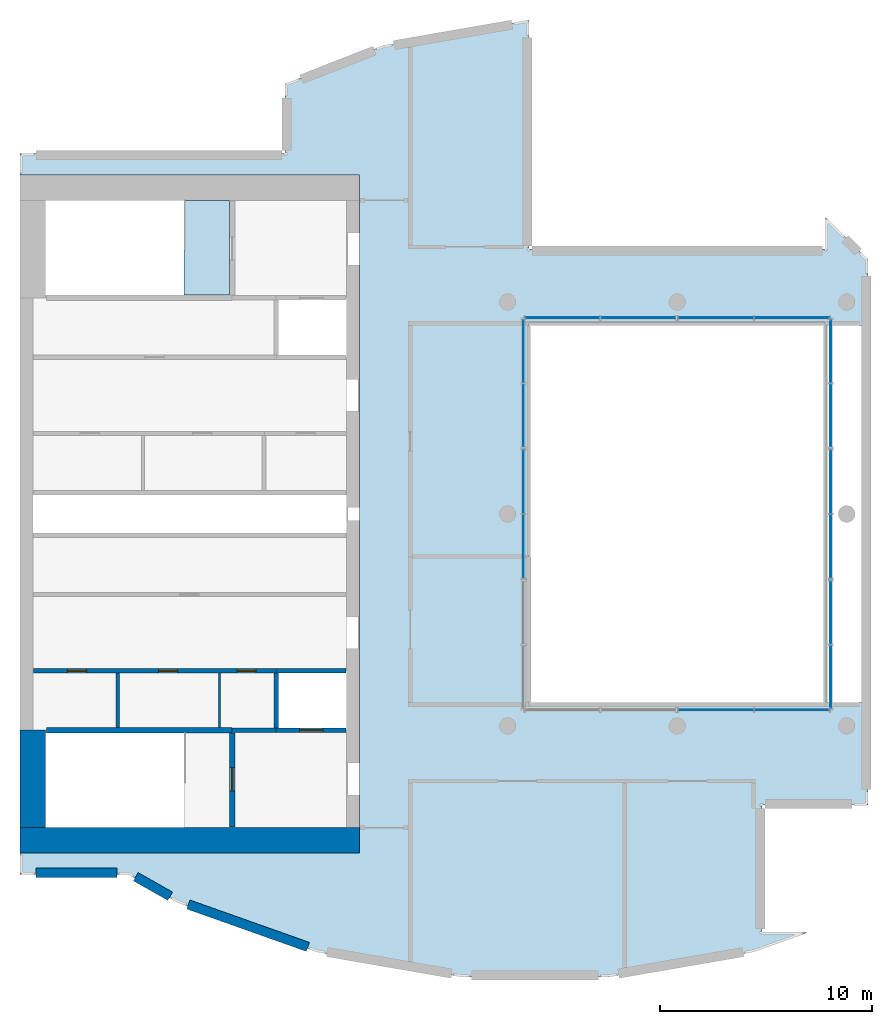
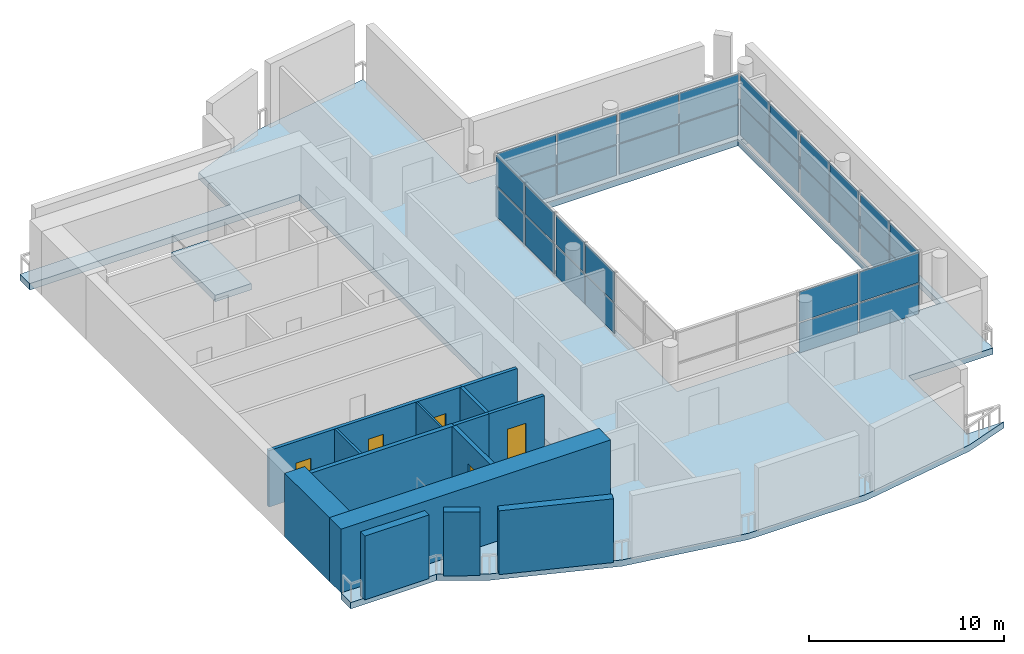
# One storey, part 3 of 6: 32 plates, 14 walls, 5 doors, 2 slabs, 5 openings, 8 elements without a shape of their own.
"""IFC4 building model written with IfcOpenShell, lengths in metres."""

from ifc_helpers import new_model, si_unit, direction, frame, frame_2d, origin, origin_2d, place, context, subcontext, project, spatial, polyline, rectangle, outline, extrude, material, layer, layer_set, type_object, element, fill, aggregate, save


model = new_model("IFC4")

# Units and contexts
model_context = context("Model", 3, precision=1e-05, world=origin(), true_north=direction((0.0, 1.0)))
body_context = subcontext(model_context, "Body", "Model", "MODEL_VIEW")
ifc_project = project(units=[si_unit("LENGTHUNIT", "METRE"), si_unit("AREAUNIT", "SQUARE_METRE"), si_unit("VOLUMEUNIT", "CUBIC_METRE"), si_unit("PLANEANGLEUNIT", "RADIAN"), si_unit("MASSUNIT", "GRAM", prefix="KILO")], contexts=[model_context])

# Site, building, storey
site_placement = place(None, origin())
site = spatial("IfcSite", under=ifc_project, at=site_placement, CompositionType="ELEMENT")
building_placement = place(site_placement, origin())
building = spatial("IfcBuilding", under=site, at=building_placement, Name="Cypress Arch Tower", CompositionType="ELEMENT")
storey_placement = place(building_placement, frame((0.0, 0.0, 355.0)))
storey = spatial("IfcBuildingStorey", under=building, at=storey_placement, Name="L81", CompositionType="ELEMENT", Elevation=355.0)

# Slabs
ifc_material_1 = material(Name="Concrete C40/50", Category="concrete")
ifc_layer_1 = layer(ifc_material_1, 0.402099609375)
ifc_layer_set_1 = layer_set([ifc_layer_1], Name="Core floor CF402")
slab_type_1 = type_object("IfcSlabType", Name="Core floor CF402", PredefinedType="FLOOR", material=ifc_layer_set_1)
slab_1_placement = place(storey_placement, frame((0.0, 0.0, -0.402099609375)))
element("IfcSlab", 1, at=slab_1_placement, inside=storey, type_object=slab_type_1, Name="Core floor", PredefinedType="FLOOR", context=body_context, shape_type="SweptSolid", body=[
    extrude(outline(polyline([(-20.125, 14.800048828125), (-22.27490234375, 14.800048828125), (-22.27490234375, 10.324951171875), (-20.125, 10.324951171875), (-20.125, 14.800048828125)])), origin(), (0.0, 0.0, 1.0), 0.402099609375),
])
ifc_material_2 = material(Name="Concrete C40/50", Category="concrete")
ifc_layer_2 = layer(ifc_material_2, 0.39990234375)
ifc_layer_set_2 = layer_set([ifc_layer_2], Name="Crown flat slab 400 Concrete C40/50")
slab_type_2 = type_object("IfcSlabType", Name="Crown flat slab 400 Concrete C40/50", PredefinedType="FLOOR", material=ifc_layer_set_2)
slab_2_placement = place(storey_placement, frame((0.0, 0.0, -0.39990234375)))
element("IfcSlab", 2, at=slab_2_placement, inside=storey, type_object=slab_type_2, Name="Floor slab L81", PredefinedType="FLOOR", context=body_context, shape_type="SweptSolid", body=[
    extrude(outline(polyline([(-17.5, 17.0), (-17.5, 20.2900390625), (-12.85009765625, 22.110107421875), (-6.0, 23.300048828125), (-6.0, 12.5), (8.0, 12.5), (8.0, 14.0), (10.0, 12.0), (10.0, -13.739990234375), (5.0, -13.739990234375), (5.0, -19.739990234375), (7.18994140625, -19.739990234375), (4.60009765625, -20.659912109375), (-2.22998046875, -21.840087890625), (-9.169921875, -21.840087890625), (-16.0, -20.659912109375), (-22.5400390625, -18.340087890625), (-24.909912109375, -17.0), (-30.0, -17.0), (-30.0, -16.0), (-14.0, -16.0), (-14.0, 16.0), (-30.0, 16.0), (-30.0, 17.0), (-17.5, 17.0)]), holes=[polyline([(8.10009765625, -8.89990234375), (9.699951171875, -8.89990234375), (9.699951171875, 8.89990234375), (8.10009765625, 8.89990234375), (8.10009765625, -8.89990234375)]), polyline([(8.0, -9.0), (8.0, 9.0), (-6.0, 9.0), (-6.0, -9.0), (8.0, -9.0)])]), origin(), (0.0, 0.0, 1.0), 0.39990234375),
])

# Curtain wall, plates
ifc_material_3 = material(Name="Anodised aluminium, bronze finish, clear laminated double glazing", Category="aluminium")
curtain_wall_type = type_object("IfcCurtainWallType", Name="Curtain wall CW4 atrium enclosure", PredefinedType="NOTDEFINED", material=ifc_material_3)
curtain_wall_1_placement = place(storey_placement, origin())
curtain_wall_1 = element("IfcCurtainWall", 3, at=curtain_wall_1_placement, inside=storey, type_object=curtain_wall_type, Name="Curtain wall L81 atrium 1.1", PredefinedType="NOTDEFINED")
ifc_material_4 = material(Name="Clear laminated double glazing", Category="glass")
ifc_layer_3 = layer(ifc_material_4, 0.0439453125)
ifc_layer_set_3 = layer_set([ifc_layer_3], Name="Glass panel CW4 44")
plate_type = type_object("IfcPlateType", Name="Glass panel CW4 44", PredefinedType="CURTAIN_PANEL", material=ifc_layer_set_3)
plate_1_placement = place(storey_placement, frame((6.416259765625, -9.25, 0.0849609375), z_axis=(0.0, 0.0, 1.0), x_axis=(-1.0, 0.0, 0.0)))
plate_1 = element("IfcPlate", 4, at=plate_1_placement, type_object=plate_type, Name="CW4 panel 1.1", PredefinedType="CURTAIN_PANEL", context=body_context, shape_type="SweptSolid", body=[
    extrude(rectangle(XDim=3.49755859375, YDim=0.0439453125, at=origin_2d()), origin(), (0.0, 0.0, 1.0), 1.87255859375),
])
plate_2_placement = place(storey_placement, frame((6.416259765625, -9.25, 2.04248046875), z_axis=(0.0, 0.0, 1.0), x_axis=(-1.0, 0.0, 0.0)))
plate_2 = element("IfcPlate", 5, at=plate_2_placement, type_object=plate_type, Name="CW4 panel 1.2", PredefinedType="CURTAIN_PANEL", context=body_context, shape_type="SweptSolid", body=[
    extrude(rectangle(XDim=3.49755859375, YDim=0.0439453125, at=origin_2d()), origin(), (0.0, 0.0, 1.0), 1.87255859375),
])
plate_3_placement = place(storey_placement, frame((2.833740234375, -9.25, 0.0849609375), z_axis=(0.0, 0.0, 1.0), x_axis=(-1.0, 0.0, 0.0)))
plate_3 = element("IfcPlate", 6, at=plate_3_placement, type_object=plate_type, Name="CW4 panel 2.1", PredefinedType="CURTAIN_PANEL", context=body_context, shape_type="SweptSolid", body=[
    extrude(rectangle(XDim=3.49755859375, YDim=0.0439453125, at=origin_2d()), origin(), (0.0, 0.0, 1.0), 1.87255859375),
])
plate_4_placement = place(storey_placement, frame((2.833740234375, -9.25, 2.04248046875), z_axis=(0.0, 0.0, 1.0), x_axis=(-1.0, 0.0, 0.0)))
plate_4 = element("IfcPlate", 7, at=plate_4_placement, type_object=plate_type, Name="CW4 panel 2.2", PredefinedType="CURTAIN_PANEL", context=body_context, shape_type="SweptSolid", body=[
    extrude(rectangle(XDim=3.49755859375, YDim=0.0439453125, at=origin_2d()), origin(), (0.0, 0.0, 1.0), 1.87255859375),
])
aggregate(curtain_wall_1, [plate_1, plate_2, plate_3, plate_4])

curtain_wall_2_placement = place(storey_placement, origin())
curtain_wall_2 = element("IfcCurtainWall", 8, at=curtain_wall_2_placement, inside=storey, type_object=curtain_wall_type, Name="Curtain wall L81 atrium 2.2", PredefinedType="NOTDEFINED")
plate_5_placement = place(storey_placement, frame((-6.25, -1.5205078125, 0.0849609375), z_axis=(0.0, 0.0, 1.0), x_axis=(0.0, 1.0, 0.0)))
plate_5 = element("IfcPlate", 9, at=plate_5_placement, type_object=plate_type, Name="CW4 panel 1.1", PredefinedType="CURTAIN_PANEL", context=body_context, shape_type="SweptSolid", body=[
    extrude(rectangle(XDim=2.955810546875, YDim=0.0439453125, at=origin_2d()), origin(), (0.0, 0.0, 1.0), 1.87255859375),
])
plate_6_placement = place(storey_placement, frame((-6.25, -1.5205078125, 2.04248046875), z_axis=(0.0, 0.0, 1.0), x_axis=(0.0, 1.0, 0.0)))
plate_6 = element("IfcPlate", 10, at=plate_6_placement, type_object=plate_type, Name="CW4 panel 1.2", PredefinedType="CURTAIN_PANEL", context=body_context, shape_type="SweptSolid", body=[
    extrude(rectangle(XDim=2.955810546875, YDim=0.0439453125, at=origin_2d()), origin(), (0.0, 0.0, 1.0), 1.87255859375),
])
plate_7_placement = place(storey_placement, frame((-6.25, 1.5205078125, 0.0849609375), z_axis=(0.0, 0.0, 1.0), x_axis=(0.0, 1.0, 0.0)))
plate_7 = element("IfcPlate", 11, at=plate_7_placement, type_object=plate_type, Name="CW4 panel 2.1", PredefinedType="CURTAIN_PANEL", context=body_context, shape_type="SweptSolid", body=[
    extrude(rectangle(XDim=2.955810546875, YDim=0.0439453125, at=origin_2d()), origin(), (0.0, 0.0, 1.0), 1.87255859375),
])
plate_8_placement = place(storey_placement, frame((-6.25, 1.5205078125, 2.04248046875), z_axis=(0.0, 0.0, 1.0), x_axis=(0.0, 1.0, 0.0)))
plate_8 = element("IfcPlate", 12, at=plate_8_placement, type_object=plate_type, Name="CW4 panel 2.2", PredefinedType="CURTAIN_PANEL", context=body_context, shape_type="SweptSolid", body=[
    extrude(rectangle(XDim=2.955810546875, YDim=0.0439453125, at=origin_2d()), origin(), (0.0, 0.0, 1.0), 1.87255859375),
])
aggregate(curtain_wall_2, [plate_5, plate_6, plate_7, plate_8])

curtain_wall_3_placement = place(storey_placement, origin())
curtain_wall_3 = element("IfcCurtainWall", 13, at=curtain_wall_3_placement, inside=storey, type_object=curtain_wall_type, Name="Curtain wall L81 atrium 2.3", PredefinedType="NOTDEFINED")
plate_9_placement = place(storey_placement, frame((-6.25, 4.646240234375, 0.0849609375), z_axis=(0.0, 0.0, 1.0), x_axis=(0.0, 1.0, 0.0)))
plate_9 = element("IfcPlate", 14, at=plate_9_placement, type_object=plate_type, Name="CW4 panel 1.1", PredefinedType="CURTAIN_PANEL", context=body_context, shape_type="SweptSolid", body=[
    extrude(rectangle(XDim=2.955810546875, YDim=0.0439453125, at=origin_2d()), origin(), (0.0, 0.0, 1.0), 1.87255859375),
])
plate_10_placement = place(storey_placement, frame((-6.25, 4.646240234375, 2.04248046875), z_axis=(0.0, 0.0, 1.0), x_axis=(0.0, 1.0, 0.0)))
plate_10 = element("IfcPlate", 15, at=plate_10_placement, type_object=plate_type, Name="CW4 panel 1.2", PredefinedType="CURTAIN_PANEL", context=body_context, shape_type="SweptSolid", body=[
    extrude(rectangle(XDim=2.955810546875, YDim=0.0439453125, at=origin_2d()), origin(), (0.0, 0.0, 1.0), 1.87255859375),
])
plate_11_placement = place(storey_placement, frame((-6.25, 7.68701171875, 0.0849609375), z_axis=(0.0, 0.0, 1.0), x_axis=(0.0, 1.0, 0.0)))
plate_11 = element("IfcPlate", 16, at=plate_11_placement, type_object=plate_type, Name="CW4 panel 2.1", PredefinedType="CURTAIN_PANEL", context=body_context, shape_type="SweptSolid", body=[
    extrude(rectangle(XDim=2.955810546875, YDim=0.0439453125, at=origin_2d()), origin(), (0.0, 0.0, 1.0), 1.87255859375),
])
plate_12_placement = place(storey_placement, frame((-6.25, 7.68701171875, 2.04248046875), z_axis=(0.0, 0.0, 1.0), x_axis=(0.0, 1.0, 0.0)))
plate_12 = element("IfcPlate", 17, at=plate_12_placement, type_object=plate_type, Name="CW4 panel 2.2", PredefinedType="CURTAIN_PANEL", context=body_context, shape_type="SweptSolid", body=[
    extrude(rectangle(XDim=2.955810546875, YDim=0.0439453125, at=origin_2d()), origin(), (0.0, 0.0, 1.0), 1.87255859375),
])
aggregate(curtain_wall_3, [plate_9, plate_10, plate_11, plate_12])

curtain_wall_4_placement = place(storey_placement, origin())
curtain_wall_4 = element("IfcCurtainWall", 18, at=curtain_wall_4_placement, inside=storey, type_object=curtain_wall_type, Name="Curtain wall L81 atrium 3.1", PredefinedType="NOTDEFINED")
plate_13_placement = place(storey_placement, frame((-4.416259765625, 9.25, 0.0849609375), z_axis=(0.0, 0.0, 1.0), x_axis=(1.0, 0.0, 0.0)))
plate_13 = element("IfcPlate", 19, at=plate_13_placement, type_object=plate_type, Name="CW4 panel 1.1", PredefinedType="CURTAIN_PANEL", context=body_context, shape_type="SweptSolid", body=[
    extrude(rectangle(XDim=3.49755859375, YDim=0.0439453125, at=origin_2d()), origin(), (0.0, 0.0, 1.0), 1.87255859375),
])
plate_14_placement = place(storey_placement, frame((-4.416259765625, 9.25, 2.04248046875), z_axis=(0.0, 0.0, 1.0), x_axis=(1.0, 0.0, 0.0)))
plate_14 = element("IfcPlate", 20, at=plate_14_placement, type_object=plate_type, Name="CW4 panel 1.2", PredefinedType="CURTAIN_PANEL", context=body_context, shape_type="SweptSolid", body=[
    extrude(rectangle(XDim=3.49755859375, YDim=0.0439453125, at=origin_2d()), origin(), (0.0, 0.0, 1.0), 1.87255859375),
])
plate_15_placement = place(storey_placement, frame((-0.833740234375, 9.25, 0.0849609375), z_axis=(0.0, 0.0, 1.0), x_axis=(1.0, 0.0, 0.0)))
plate_15 = element("IfcPlate", 21, at=plate_15_placement, type_object=plate_type, Name="CW4 panel 2.1", PredefinedType="CURTAIN_PANEL", context=body_context, shape_type="SweptSolid", body=[
    extrude(rectangle(XDim=3.49755859375, YDim=0.0439453125, at=origin_2d()), origin(), (0.0, 0.0, 1.0), 1.87255859375),
])
plate_16_placement = place(storey_placement, frame((-0.833740234375, 9.25, 2.04248046875), z_axis=(0.0, 0.0, 1.0), x_axis=(1.0, 0.0, 0.0)))
plate_16 = element("IfcPlate", 22, at=plate_16_placement, type_object=plate_type, Name="CW4 panel 2.2", PredefinedType="CURTAIN_PANEL", context=body_context, shape_type="SweptSolid", body=[
    extrude(rectangle(XDim=3.49755859375, YDim=0.0439453125, at=origin_2d()), origin(), (0.0, 0.0, 1.0), 1.87255859375),
])
aggregate(curtain_wall_4, [plate_13, plate_14, plate_15, plate_16])

curtain_wall_5_placement = place(storey_placement, origin())
curtain_wall_5 = element("IfcCurtainWall", 23, at=curtain_wall_5_placement, inside=storey, type_object=curtain_wall_type, Name="Curtain wall L81 atrium 3.2", PredefinedType="NOTDEFINED")
plate_17_placement = place(storey_placement, frame((2.833740234375, 9.25, 0.0849609375), z_axis=(0.0, 0.0, 1.0), x_axis=(1.0, 0.0, 0.0)))
plate_17 = element("IfcPlate", 24, at=plate_17_placement, type_object=plate_type, Name="CW4 panel 1.1", PredefinedType="CURTAIN_PANEL", context=body_context, shape_type="SweptSolid", body=[
    extrude(rectangle(XDim=3.49755859375, YDim=0.0439453125, at=origin_2d()), origin(), (0.0, 0.0, 1.0), 1.87255859375),
])
plate_18_placement = place(storey_placement, frame((2.833740234375, 9.25, 2.04248046875), z_axis=(0.0, 0.0, 1.0), x_axis=(1.0, 0.0, 0.0)))
plate_18 = element("IfcPlate", 25, at=plate_18_placement, type_object=plate_type, Name="CW4 panel 1.2", PredefinedType="CURTAIN_PANEL", context=body_context, shape_type="SweptSolid", body=[
    extrude(rectangle(XDim=3.49755859375, YDim=0.0439453125, at=origin_2d()), origin(), (0.0, 0.0, 1.0), 1.87255859375),
])
plate_19_placement = place(storey_placement, frame((6.416259765625, 9.25, 0.0849609375), z_axis=(0.0, 0.0, 1.0), x_axis=(1.0, 0.0, 0.0)))
plate_19 = element("IfcPlate", 26, at=plate_19_placement, type_object=plate_type, Name="CW4 panel 2.1", PredefinedType="CURTAIN_PANEL", context=body_context, shape_type="SweptSolid", body=[
    extrude(rectangle(XDim=3.49755859375, YDim=0.0439453125, at=origin_2d()), origin(), (0.0, 0.0, 1.0), 1.87255859375),
])
plate_20_placement = place(storey_placement, frame((6.416259765625, 9.25, 2.04248046875), z_axis=(0.0, 0.0, 1.0), x_axis=(1.0, 0.0, 0.0)))
plate_20 = element("IfcPlate", 27, at=plate_20_placement, type_object=plate_type, Name="CW4 panel 2.2", PredefinedType="CURTAIN_PANEL", context=body_context, shape_type="SweptSolid", body=[
    extrude(rectangle(XDim=3.49755859375, YDim=0.0439453125, at=origin_2d()), origin(), (0.0, 0.0, 1.0), 1.87255859375),
])
aggregate(curtain_wall_5, [plate_17, plate_18, plate_19, plate_20])

curtain_wall_6_placement = place(storey_placement, origin())
curtain_wall_6 = element("IfcCurtainWall", 28, at=curtain_wall_6_placement, inside=storey, type_object=curtain_wall_type, Name="Curtain wall L81 atrium 4.1", PredefinedType="NOTDEFINED")
plate_21_placement = place(storey_placement, frame((8.25, 7.68701171875, 0.0849609375), z_axis=(0.0, 0.0, 1.0), x_axis=(0.0, -1.0, 0.0)))
plate_21 = element("IfcPlate", 29, at=plate_21_placement, type_object=plate_type, Name="CW4 panel 1.1", PredefinedType="CURTAIN_PANEL", context=body_context, shape_type="SweptSolid", body=[
    extrude(rectangle(XDim=2.955810546875, YDim=0.0439453125, at=origin_2d()), origin(), (0.0, 0.0, 1.0), 1.87255859375),
])
plate_22_placement = place(storey_placement, frame((8.25, 7.68701171875, 2.04248046875), z_axis=(0.0, 0.0, 1.0), x_axis=(0.0, -1.0, 0.0)))
plate_22 = element("IfcPlate", 30, at=plate_22_placement, type_object=plate_type, Name="CW4 panel 1.2", PredefinedType="CURTAIN_PANEL", context=body_context, shape_type="SweptSolid", body=[
    extrude(rectangle(XDim=2.955810546875, YDim=0.0439453125, at=origin_2d()), origin(), (0.0, 0.0, 1.0), 1.87255859375),
])
plate_23_placement = place(storey_placement, frame((8.25, 4.646240234375, 0.0849609375), z_axis=(0.0, 0.0, 1.0), x_axis=(0.0, -1.0, 0.0)))
plate_23 = element("IfcPlate", 31, at=plate_23_placement, type_object=plate_type, Name="CW4 panel 2.1", PredefinedType="CURTAIN_PANEL", context=body_context, shape_type="SweptSolid", body=[
    extrude(rectangle(XDim=2.955810546875, YDim=0.0439453125, at=origin_2d()), origin(), (0.0, 0.0, 1.0), 1.87255859375),
])
plate_24_placement = place(storey_placement, frame((8.25, 4.646240234375, 2.04248046875), z_axis=(0.0, 0.0, 1.0), x_axis=(0.0, -1.0, 0.0)))
plate_24 = element("IfcPlate", 32, at=plate_24_placement, type_object=plate_type, Name="CW4 panel 2.2", PredefinedType="CURTAIN_PANEL", context=body_context, shape_type="SweptSolid", body=[
    extrude(rectangle(XDim=2.955810546875, YDim=0.0439453125, at=origin_2d()), origin(), (0.0, 0.0, 1.0), 1.87255859375),
])
aggregate(curtain_wall_6, [plate_21, plate_22, plate_23, plate_24])

curtain_wall_7_placement = place(storey_placement, origin())
curtain_wall_7 = element("IfcCurtainWall", 33, at=curtain_wall_7_placement, inside=storey, type_object=curtain_wall_type, Name="Curtain wall L81 atrium 4.2", PredefinedType="NOTDEFINED")
plate_25_placement = place(storey_placement, frame((8.25, 1.5205078125, 0.0849609375), z_axis=(0.0, 0.0, 1.0), x_axis=(0.0, -1.0, 0.0)))
plate_25 = element("IfcPlate", 34, at=plate_25_placement, type_object=plate_type, Name="CW4 panel 1.1", PredefinedType="CURTAIN_PANEL", context=body_context, shape_type="SweptSolid", body=[
    extrude(rectangle(XDim=2.955810546875, YDim=0.0439453125, at=origin_2d()), origin(), (0.0, 0.0, 1.0), 1.87255859375),
])
plate_26_placement = place(storey_placement, frame((8.25, 1.5205078125, 2.04248046875), z_axis=(0.0, 0.0, 1.0), x_axis=(0.0, -1.0, 0.0)))
plate_26 = element("IfcPlate", 35, at=plate_26_placement, type_object=plate_type, Name="CW4 panel 1.2", PredefinedType="CURTAIN_PANEL", context=body_context, shape_type="SweptSolid", body=[
    extrude(rectangle(XDim=2.955810546875, YDim=0.0439453125, at=origin_2d()), origin(), (0.0, 0.0, 1.0), 1.87255859375),
])
plate_27_placement = place(storey_placement, frame((8.25, -1.5205078125, 0.0849609375), z_axis=(0.0, 0.0, 1.0), x_axis=(0.0, -1.0, 0.0)))
plate_27 = element("IfcPlate", 36, at=plate_27_placement, type_object=plate_type, Name="CW4 panel 2.1", PredefinedType="CURTAIN_PANEL", context=body_context, shape_type="SweptSolid", body=[
    extrude(rectangle(XDim=2.955810546875, YDim=0.0439453125, at=origin_2d()), origin(), (0.0, 0.0, 1.0), 1.87255859375),
])
plate_28_placement = place(storey_placement, frame((8.25, -1.5205078125, 2.04248046875), z_axis=(0.0, 0.0, 1.0), x_axis=(0.0, -1.0, 0.0)))
plate_28 = element("IfcPlate", 37, at=plate_28_placement, type_object=plate_type, Name="CW4 panel 2.2", PredefinedType="CURTAIN_PANEL", context=body_context, shape_type="SweptSolid", body=[
    extrude(rectangle(XDim=2.955810546875, YDim=0.0439453125, at=origin_2d()), origin(), (0.0, 0.0, 1.0), 1.87255859375),
])
aggregate(curtain_wall_7, [plate_25, plate_26, plate_27, plate_28])

curtain_wall_8_placement = place(storey_placement, origin())
curtain_wall_8 = element("IfcCurtainWall", 38, at=curtain_wall_8_placement, inside=storey, type_object=curtain_wall_type, Name="Curtain wall L81 atrium 4.3", PredefinedType="NOTDEFINED")
plate_29_placement = place(storey_placement, frame((8.25, -4.646240234375, 0.0849609375), z_axis=(0.0, 0.0, 1.0), x_axis=(0.0, -1.0, 0.0)))
plate_29 = element("IfcPlate", 39, at=plate_29_placement, type_object=plate_type, Name="CW4 panel 1.1", PredefinedType="CURTAIN_PANEL", context=body_context, shape_type="SweptSolid", body=[
    extrude(rectangle(XDim=2.955810546875, YDim=0.0439453125, at=origin_2d()), origin(), (0.0, 0.0, 1.0), 1.87255859375),
])
plate_30_placement = place(storey_placement, frame((8.25, -4.646240234375, 2.04248046875), z_axis=(0.0, 0.0, 1.0), x_axis=(0.0, -1.0, 0.0)))
plate_30 = element("IfcPlate", 40, at=plate_30_placement, type_object=plate_type, Name="CW4 panel 1.2", PredefinedType="CURTAIN_PANEL", context=body_context, shape_type="SweptSolid", body=[
    extrude(rectangle(XDim=2.955810546875, YDim=0.0439453125, at=origin_2d()), origin(), (0.0, 0.0, 1.0), 1.87255859375),
])
plate_31_placement = place(storey_placement, frame((8.25, -7.68701171875, 0.0849609375), z_axis=(0.0, 0.0, 1.0), x_axis=(0.0, -1.0, 0.0)))
plate_31 = element("IfcPlate", 41, at=plate_31_placement, type_object=plate_type, Name="CW4 panel 2.1", PredefinedType="CURTAIN_PANEL", context=body_context, shape_type="SweptSolid", body=[
    extrude(rectangle(XDim=2.955810546875, YDim=0.0439453125, at=origin_2d()), origin(), (0.0, 0.0, 1.0), 1.87255859375),
])
plate_32_placement = place(storey_placement, frame((8.25, -7.68701171875, 2.04248046875), z_axis=(0.0, 0.0, 1.0), x_axis=(0.0, -1.0, 0.0)))
plate_32 = element("IfcPlate", 42, at=plate_32_placement, type_object=plate_type, Name="CW4 panel 2.2", PredefinedType="CURTAIN_PANEL", context=body_context, shape_type="SweptSolid", body=[
    extrude(rectangle(XDim=2.955810546875, YDim=0.0439453125, at=origin_2d()), origin(), (0.0, 0.0, 1.0), 1.87255859375),
])
aggregate(curtain_wall_8, [plate_29, plate_30, plate_31, plate_32])

# Walls
ifc_material_5 = material(Name="Brick (red buff blend)", Category="masonry")
ifc_layer_4 = layer(ifc_material_5, 0.449951171875)
ifc_layer_set_4 = layer_set([ifc_layer_4], Name="Brick belt wall BW450-B")
wall_type_1 = type_object("IfcWallType", Name="Brick belt wall BW450-B", PredefinedType="SOLIDWALL", material=ifc_layer_set_4)
wall_1_placement = place(storey_placement, frame((-29.25, -16.925048828125, 0.0), z_axis=(0.0, 0.0, 1.0), x_axis=(1.0, 0.0, 0.0)))
element("IfcWall", 43, at=wall_1_placement, inside=storey, type_object=wall_type_1, Name="Brick wall L81 K00.0", PredefinedType="SOLIDWALL", context=body_context, shape_type="SweptSolid", body=[
    extrude(rectangle(XDim=3.8056640625, YDim=0.449951171875, at=frame_2d((1.90283203125, 0.0))), origin(), (0.0, 0.0, 1.0), 4.0),
])
wall_2_placement = place(storey_placement, frame((-24.550048828125, -17.117431640625, 0.0), z_axis=(0.0, 0.0, 1.0), x_axis=(0.8704776513, -0.492207942427, 0.0)))
element("IfcWall", 44, at=wall_2_placement, inside=storey, type_object=wall_type_1, Name="Brick wall L81 K01.0", PredefinedType="SOLIDWALL", context=body_context, shape_type="SweptSolid", body=[
    extrude(rectangle(XDim=1.868408203125, YDim=0.449951171875, at=frame_2d((0.93408203125, 0.0))), origin(), (0.0, 0.0, 1.0), 4.0),
])
wall_3_placement = place(storey_placement, frame((-22.066162109375, -18.428466796875, 0.0), z_axis=(0.0, 0.0, 1.0), x_axis=(0.942451811453, -0.334342015142, 0.0)))
element("IfcWall", 45, at=wall_3_placement, inside=storey, type_object=wall_type_1, Name="Brick wall L81 K02.0", PredefinedType="SOLIDWALL", context=body_context, shape_type="SweptSolid", body=[
    extrude(rectangle(XDim=5.981201171875, YDim=0.449951171875, at=frame_2d((2.99072265625, 0.0))), origin(), (0.0, 0.0, 1.0), 4.0),
])
ifc_material_6 = material(Name="Concrete C50/60", Category="concrete")
ifc_layer_5 = layer(ifc_material_6, 1.199951171875)
ifc_layer_set_5 = layer_set([ifc_layer_5], Name="Core wall CW1200 C50/60")
wall_type_2 = type_object("IfcWallType", Name="Core wall CW1200 C50/60", PredefinedType="SHEAR", material=ifc_layer_set_5)
wall_4_placement = place(storey_placement, frame((-30.0, -15.39990234375, 0.0), z_axis=(0.0, 0.0, 1.0), x_axis=(1.0, 0.0, 0.0)))
element("IfcWall", 46, at=wall_4_placement, inside=storey, type_object=wall_type_2, Name="Core wall", PredefinedType="SHEAR", context=body_context, shape_type="SweptSolid", body=[
    extrude(rectangle(XDim=16.0, YDim=1.199951171875, at=frame_2d((8.0, 0.0))), origin(), (0.0, 0.0, 1.0), 4.0),
])
wall_5_placement = place(storey_placement, frame((-29.39990234375, -14.800048828125, 0.0), z_axis=(0.0, 0.0, 1.0), x_axis=(0.0, 1.0, 0.0)))
element("IfcWall", 47, at=wall_5_placement, inside=storey, type_object=wall_type_2, Name="Core wall", PredefinedType="SHEAR", context=body_context, shape_type="SweptSolid", body=[
    extrude(rectangle(XDim=4.60009765625, YDim=1.199951171875, at=frame_2d((2.300048828125, 0.0))), origin(), (0.0, 0.0, 1.0), 4.0),
])

# Wall, openings, doors
ifc_material_7 = material(Name="Concrete blockwork, plastered, rated", Category="masonry")
ifc_layer_6 = layer(ifc_material_7, 0.199951171875)
ifc_layer_set_6 = layer_set([ifc_layer_6], Name="Corridor wall FW200")
wall_type_3 = type_object("IfcWallType", Name="Corridor wall FW200", PredefinedType="PARTITIONING", material=ifc_layer_set_6)
wall_6_placement = place(storey_placement, frame((-29.3701171875, -7.39990234375, 0.0), z_axis=(0.0, 0.0, 1.0), x_axis=(1.0, 0.0, 0.0)))
wall_6 = element("IfcWall", 48, at=wall_6_placement, inside=storey, type_object=wall_type_3, Name="Corridor wall", PredefinedType="PARTITIONING", context=body_context, shape_type="SweptSolid", body=[
    extrude(rectangle(XDim=11.47021484375, YDim=0.199951171875, at=frame_2d((5.735107421875, 0.0))), origin(), (0.0, 0.0, 1.0), 3.548095703125),
])
opening_1_placement = place(wall_6_placement, frame((1.60009765625, 0.0, 0.0)))
opening_1 = element("IfcOpeningElement", 49, at=opening_1_placement, cuts=wall_6, Name="Opening D05", PredefinedType="OPENING", context=body_context, shape_type="SweptSolid", body=[
    extrude(rectangle(XDim=0.89990234375, YDim=2.199951171875, at=frame_2d((0.449951171875, 1.10009765625))), frame((0.0, 0.10986328125, 0.0), z_axis=(0.0, -1.0, 0.0), x_axis=(1.0, 0.0, 0.0)), (0.0, 0.0, 1.0), 0.219970703125),
])
opening_2_placement = place(wall_6_placement, frame((5.89990234375, 0.0, 0.0)))
opening_2 = element("IfcOpeningElement", 50, at=opening_2_placement, cuts=wall_6, Name="Opening D05", PredefinedType="OPENING", context=body_context, shape_type="SweptSolid", body=[
    extrude(rectangle(XDim=0.89990234375, YDim=2.199951171875, at=frame_2d((0.449951171875, 1.10009765625))), frame((0.0, 0.10986328125, 0.0), z_axis=(0.0, -1.0, 0.0), x_axis=(1.0, 0.0, 0.0)), (0.0, 0.0, 1.0), 0.219970703125),
])
opening_3_placement = place(wall_6_placement, frame((9.60009765625, 0.0, 0.0)))
opening_3 = element("IfcOpeningElement", 51, at=opening_3_placement, cuts=wall_6, Name="Opening D05", PredefinedType="OPENING", context=body_context, shape_type="SweptSolid", body=[
    extrude(rectangle(XDim=0.89990234375, YDim=2.199951171875, at=frame_2d((0.449951171875, 1.10009765625))), frame((0.0, 0.10986328125, 0.0), z_axis=(0.0, -1.0, 0.0), x_axis=(1.0, 0.0, 0.0)), (0.0, 0.0, 1.0), 0.219970703125),
])
ifc_material_8 = material(Name="Timber flush door", Category="wood")
door_type_1 = type_object("IfcDoorType", Name="Service door D05 900x2200", OperationType="SINGLE_SWING_LEFT", PredefinedType="DOOR", material=ifc_material_8)
door_1_placement = place(opening_1_placement, origin())
door_1 = element("IfcDoor", 52, at=door_1_placement, inside=storey, type_object=door_type_1, Name="Service door", OperationType="SINGLE_SWING_LEFT", OverallHeight=2.199951171875, OverallWidth=0.89990234375, PredefinedType="DOOR", context=body_context, shape_type="SweptSolid", body=[
    extrude(rectangle(XDim=0.89990234375, YDim=2.199951171875, at=frame_2d((0.449951171875, 1.10009765625))), frame((0.0, 0.02490234375, 0.0), z_axis=(0.0, -1.0, 0.0), x_axis=(1.0, 0.0, 0.0)), (0.0, 0.0, 1.0), 0.050048828125),
])
fill(opening_1, door_1)
door_2_placement = place(opening_2_placement, origin())
door_2 = element("IfcDoor", 53, at=door_2_placement, inside=storey, type_object=door_type_1, Name="Service door", OperationType="SINGLE_SWING_RIGHT", OverallHeight=2.199951171875, OverallWidth=0.89990234375, PredefinedType="DOOR", context=body_context, shape_type="SweptSolid", body=[
    extrude(rectangle(XDim=0.89990234375, YDim=2.199951171875, at=frame_2d((0.449951171875, 1.10009765625))), frame((0.0, 0.02490234375, 0.0), z_axis=(0.0, -1.0, 0.0), x_axis=(1.0, 0.0, 0.0)), (0.0, 0.0, 1.0), 0.050048828125),
])
fill(opening_2, door_2)
door_3_placement = place(opening_3_placement, origin())
door_3 = element("IfcDoor", 54, at=door_3_placement, inside=storey, type_object=door_type_1, Name="Service door", OperationType="SINGLE_SWING_RIGHT", OverallHeight=2.199951171875, OverallWidth=0.89990234375, PredefinedType="DOOR", context=body_context, shape_type="SweptSolid", body=[
    extrude(rectangle(XDim=0.89990234375, YDim=2.199951171875, at=frame_2d((0.449951171875, 1.10009765625))), frame((0.0, 0.02490234375, 0.0), z_axis=(0.0, -1.0, 0.0), x_axis=(1.0, 0.0, 0.0)), (0.0, 0.0, 1.0), 0.050048828125),
])
fill(opening_3, door_3)

# Walls
wall_7_placement = place(storey_placement, frame((-20.0, -10.199951171875, 0.0), z_axis=(0.0, 0.0, 1.0), x_axis=(1.0, 0.0, 0.0)))
element("IfcWall", 55, at=wall_7_placement, inside=storey, type_object=wall_type_3, Name="Corridor wall", PredefinedType="PARTITIONING", context=body_context, shape_type="SweptSolid", body=[
    extrude(rectangle(XDim=2.080078125, YDim=0.199951171875, at=frame_2d((1.0400390625, 0.0))), origin(), (0.0, 0.0, 1.0), 3.548095703125),
])
ifc_material_9 = material(Name="Blockwork, plastered both sides", Category="masonry")
ifc_layer_7 = layer(ifc_material_9, 0.14990234375)
ifc_layer_set_7 = layer_set([ifc_layer_7], Name="Partition PW150")
wall_type_4 = type_object("IfcWallType", Name="Partition PW150", PredefinedType="PARTITIONING", material=ifc_layer_set_7)
wall_8_placement = place(storey_placement, frame((-25.39990234375, -10.074951171875, 0.0), z_axis=(0.0, 0.0, 1.0), x_axis=(0.0, 1.0, 0.0)))
element("IfcWall", 56, at=wall_8_placement, inside=storey, type_object=wall_type_4, Name="Partition", PredefinedType="PARTITIONING", context=body_context, shape_type="SweptSolid", body=[
    extrude(rectangle(XDim=2.574951171875, YDim=0.14990234375, at=frame_2d((1.28759765625, 0.0))), origin(), (0.0, 0.0, 1.0), 3.548095703125),
])
ifc_material_10 = material(Name="Concrete C50/60", Category="concrete")
ifc_layer_8 = layer(ifc_material_10, 0.199951171875)
ifc_layer_set_8 = layer_set([ifc_layer_8], Name="Shaft wall SH200")
wall_type_5 = type_object("IfcWallType", Name="Shaft wall SH200", PredefinedType="SHEAR", material=ifc_layer_set_8)
wall_9_placement = place(storey_placement, frame((-17.919921875, -10.10009765625, 0.0), z_axis=(0.0, 0.0, 1.0), x_axis=(0.0, 1.0, 0.0)))
element("IfcWall", 57, at=wall_9_placement, inside=storey, type_object=wall_type_5, Name="Shaft wall", PredefinedType="SHEAR", context=body_context, shape_type="SweptSolid", body=[
    extrude(rectangle(XDim=2.60009765625, YDim=0.199951171875, at=frame_2d((1.300048828125, 0.0))), origin(), (0.0, 0.0, 1.0), 3.548095703125),
])

# Wall, opening, door
wall_10_placement = place(storey_placement, frame((-17.919921875, -10.199951171875, 0.0), z_axis=(0.0, 0.0, 1.0), x_axis=(1.0, 0.0, 0.0)))
wall_10 = element("IfcWall", 58, at=wall_10_placement, inside=storey, type_object=wall_type_5, Name="Shaft wall", PredefinedType="SHEAR", context=body_context, shape_type="SweptSolid", body=[
    extrude(rectangle(XDim=3.2900390625, YDim=0.199951171875, at=frame_2d((1.64501953125, 0.0))), origin(), (0.0, 0.0, 1.0), 3.548095703125),
])
opening_4_placement = place(wall_10_placement, frame((1.10009765625, 0.0, 0.0)))
opening_4 = element("IfcOpeningElement", 59, at=opening_4_placement, cuts=wall_10, Name="Opening LD-FL1", PredefinedType="OPENING", context=body_context, shape_type="SweptSolid", body=[
    extrude(rectangle(XDim=1.10009765625, YDim=2.199951171875, at=frame_2d((0.550048828125, 1.10009765625))), frame((0.0, 0.10986328125, 0.0), z_axis=(0.0, -1.0, 0.0), x_axis=(1.0, 0.0, 0.0)), (0.0, 0.0, 1.0), 0.219970703125),
])
ifc_material_11 = material(Name="Stainless steel centre-opening landing door, rated", Category="steel")
door_type_2 = type_object("IfcDoorType", Name="Lift landing door LD 1100x2200", OperationType="DOUBLE_DOOR_SLIDING", PredefinedType="DOOR", material=ifc_material_11)
door_4_placement = place(opening_4_placement, origin())
door_4 = element("IfcDoor", 60, at=door_4_placement, inside=storey, type_object=door_type_2, Name="Lift landing doors FL1", OperationType="DOUBLE_DOOR_SLIDING", OverallHeight=2.199951171875, OverallWidth=1.10009765625, PredefinedType="DOOR", context=body_context, shape_type="SweptSolid", body=[
    extrude(rectangle(XDim=1.10009765625, YDim=2.199951171875, at=frame_2d((0.550048828125, 1.10009765625))), frame((0.0, 0.02490234375, 0.0), z_axis=(0.0, -1.0, 0.0), x_axis=(1.0, 0.0, 0.0)), (0.0, 0.0, 1.0), 0.050048828125),
])
fill(opening_4, door_4)

# Walls
wall_11_placement = place(storey_placement, frame((-17.89990234375, -7.39990234375, 0.0), z_axis=(0.0, 0.0, 1.0), x_axis=(1.0, 0.0, 0.0)))
element("IfcWall", 61, at=wall_11_placement, inside=storey, type_object=wall_type_5, Name="Shaft wall", PredefinedType="SHEAR", context=body_context, shape_type="SweptSolid", body=[
    extrude(rectangle(XDim=3.27001953125, YDim=0.199951171875, at=frame_2d((1.635009765625, 0.0))), origin(), (0.0, 0.0, 1.0), 3.548095703125),
])
ifc_material_12 = material(Name="Concrete C50/60", Category="concrete")
ifc_layer_9 = layer(ifc_material_12, 0.25)
ifc_layer_set_9 = layer_set([ifc_layer_9], Name="Stair enclosure wall SW250")
wall_type_6 = type_object("IfcWallType", Name="Stair enclosure wall SW250", PredefinedType="SHEAR", material=ifc_layer_set_9)
wall_12_placement = place(storey_placement, frame((-28.77001953125, -10.199951171875, 0.0), z_axis=(0.0, 0.0, 1.0), x_axis=(1.0, 0.0, 0.0)))
element("IfcWall", 62, at=wall_12_placement, inside=storey, type_object=wall_type_6, Name="Stair enclosure wall", PredefinedType="SHEAR", context=body_context, shape_type="SweptSolid", body=[
    extrude(rectangle(XDim=8.77001953125, YDim=0.25, at=frame_2d((4.385009765625, 0.0))), origin(), (0.0, 0.0, 1.0), 3.548095703125),
])

# Wall, opening, door
wall_13_placement = place(storey_placement, frame((-20.0, -14.77001953125, 0.0), z_axis=(0.0, 0.0, 1.0), x_axis=(0.0, 1.0, 0.0)))
wall_13 = element("IfcWall", 63, at=wall_13_placement, inside=storey, type_object=wall_type_6, Name="Stair enclosure wall", PredefinedType="SHEAR", context=body_context, shape_type="SweptSolid", body=[
    extrude(rectangle(XDim=4.445068359375, YDim=0.25, at=frame_2d((2.22265625, 0.0))), origin(), (0.0, 0.0, 1.0), 3.548095703125),
])
opening_5_placement = place(wall_13_placement, frame((1.699951171875, 0.0, 0.0)))
opening_5 = element("IfcOpeningElement", 64, at=opening_5_placement, cuts=wall_13, Name="Opening D06", PredefinedType="OPENING", context=body_context, shape_type="SweptSolid", body=[
    extrude(rectangle(XDim=1.10009765625, YDim=2.199951171875, at=frame_2d((0.550048828125, 1.10009765625))), frame((0.0, 0.135009765625, 0.0), z_axis=(0.0, -1.0, 0.0), x_axis=(1.0, 0.0, 0.0)), (0.0, 0.0, 1.0), 0.27001953125),
])
ifc_material_13 = material(Name="Steel door, fire resisting, panic bar", Category="steel")
door_type_3 = type_object("IfcDoorType", Name="Stair door D06 1100x2200", OperationType="SINGLE_SWING_LEFT", PredefinedType="DOOR", material=ifc_material_13)
door_5_placement = place(opening_5_placement, origin())
door_5 = element("IfcDoor", 65, at=door_5_placement, inside=storey, type_object=door_type_3, Name="Stair door", OperationType="SINGLE_SWING_RIGHT", OverallHeight=2.199951171875, OverallWidth=1.10009765625, PredefinedType="DOOR", context=body_context, shape_type="SweptSolid", body=[
    extrude(rectangle(XDim=1.10009765625, YDim=2.199951171875, at=frame_2d((0.550048828125, 1.10009765625))), frame((0.0, 0.02490234375, 0.0), z_axis=(0.0, -1.0, 0.0), x_axis=(1.0, 0.0, 0.0)), (0.0, 0.0, 1.0), 0.050048828125),
])
fill(opening_5, door_5)

# Wall
ifc_material_14 = material(Name="Moisture resistant board on steel studs, tiled", Category="steel")
ifc_layer_10 = layer(ifc_material_14, 0.10009765625)
ifc_layer_set_10 = layer_set([ifc_layer_10], Name="Wet wall PW100")
wall_type_7 = type_object("IfcWallType", Name="Wet wall PW100", PredefinedType="PARTITIONING", material=ifc_layer_set_10)
wall_14_placement = place(storey_placement, frame((-20.60009765625, -10.074951171875, 0.0), z_axis=(0.0, 0.0, 1.0), x_axis=(0.0, 1.0, 0.0)))
element("IfcWall", 66, at=wall_14_placement, inside=storey, type_object=wall_type_7, Name="Wet wall", PredefinedType="PARTITIONING", context=body_context, shape_type="SweptSolid", body=[
    extrude(rectangle(XDim=2.574951171875, YDim=0.10009765625, at=frame_2d((1.28759765625, 0.0))), origin(), (0.0, 0.0, 1.0), 3.548095703125),
])

save(model, "model.ifc")
